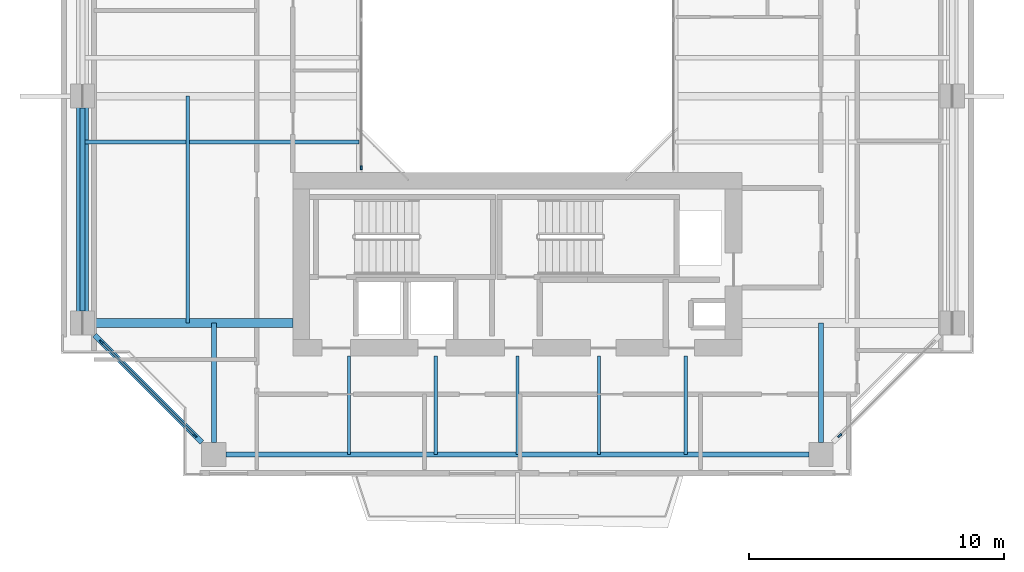
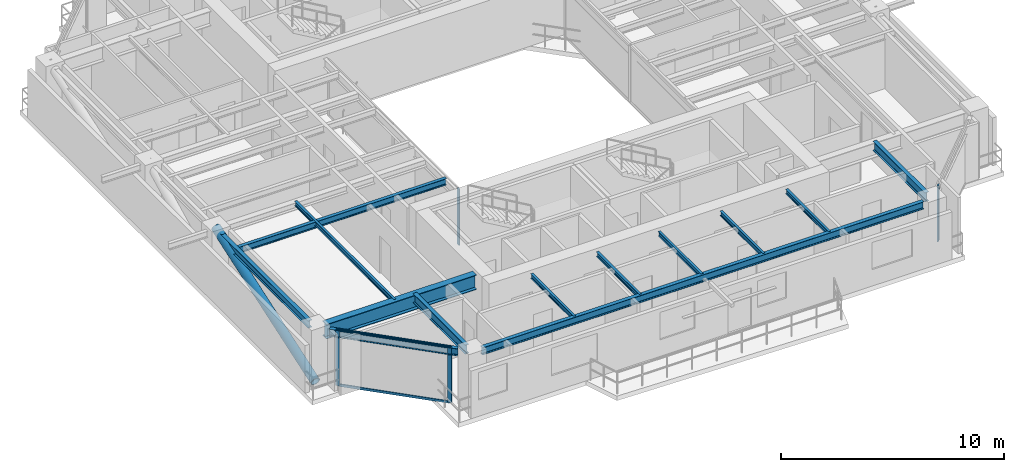
# One storey, part 2 of 14: 13 beams, 7 members, 3 elements without a shape of their own.
"""IFC4 building model written with IfcOpenShell, lengths in metres."""

from ifc_helpers import new_model, si_unit, direction, frame, origin, origin_2d, place, context, subcontext, project, spatial, rectangle, hollow_circle, i_section, extrude, source, transform, mapped, material, layer, layer_set, material_profile, profile_set, type_object, element, aggregate, save


model = new_model("IFC4")

# Units and contexts
model_context = context("Model", 3, precision=1e-05, world=origin(), true_north=direction((0.0, 1.0)))
body_context = subcontext(model_context, "Body", "Model", "MODEL_VIEW")
ifc_project = project(units=[si_unit("LENGTHUNIT", "METRE"), si_unit("AREAUNIT", "SQUARE_METRE"), si_unit("VOLUMEUNIT", "CUBIC_METRE"), si_unit("PLANEANGLEUNIT", "RADIAN"), si_unit("MASSUNIT", "GRAM", prefix="KILO"), si_unit("THERMODYNAMICTEMPERATUREUNIT", "KELVIN"), si_unit("POWERUNIT", "WATT")], contexts=[model_context])

# Site, building, storey
site_placement = place(None, origin())
site = spatial("IfcSite", under=ifc_project, at=site_placement, CompositionType="ELEMENT")
building_placement = place(site_placement, origin())
building = spatial("IfcBuilding", under=site, at=building_placement, Name="Qiaomeng Ring Towers", CompositionType="ELEMENT")
storey_placement = place(building_placement, frame((0.0, 0.0, 176.25)))
storey = spatial("IfcBuildingStorey", under=building, at=storey_placement, Name="L51", CompositionType="ELEMENT", Elevation=176.25)

# Beams
ifc_material_1 = material(Name="Steel Q355B", Category="steel")
ifc_material_profile_1 = material_profile(ifc_material_1, i_section(OverallWidth=0.125, OverallDepth=0.25, WebThickness=0.006103515625, FlangeThickness=0.009033203125, FilletRadius=0.011962890625, at=origin_2d()), Name="HN 250x125x6x9")
ifc_profile_set_1 = profile_set([ifc_material_profile_1], Name="Steel Q355B")
beam_type_1 = type_object("IfcBeamType", Name="STR-BM-HN250", PredefinedType="JOIST", material=ifc_profile_set_1)
shared_shape_1 = source(origin(), body_context, "Body", "SweptSolid", [
    extrude(i_section(OverallWidth=0.125, OverallDepth=0.25, WebThickness=0.006103515625, FlangeThickness=0.009033203125, FilletRadius=0.011962890625, at=origin_2d()), origin(), (0.0, 0.0, 1.0), 3.85009765625),
])
for number, where, z_axis, x_axis, name in (
    (1, (12.39990234375, 5.949951171875, 2.945068359375), (0.0, 1.0, 0.0), (-1.0, 0.0, 0.0), "L51 beam STR-JST-L51-T1S-1"),
    (2, (15.800048828125, 5.949951171875, 2.945068359375), (0.0, 1.0, 0.0), (-1.0, 0.0, 0.0), "L51 beam STR-JST-L51-T1S-2"),
    (3, (19.0, 5.949951171875, 2.945068359375), (0.0, 1.0, 0.0), (-1.0, 0.0, 0.0), "L51 beam STR-JST-L51-T1S-3"),
    (4, (22.199951171875, 5.949951171875, 2.945068359375), (0.0, 1.0, 0.0), (-1.0, 0.0, 0.0), "L51 beam STR-JST-L51-T1S-4"),
    (5, (25.60009765625, 5.949951171875, 2.945068359375), (0.0, 1.0, 0.0), (-1.0, 0.0, 0.0), "L51 beam STR-JST-L51-T1S-5"),
):
    element("IfcBeam", number, at=place(storey_placement, frame(where, z_axis=z_axis, x_axis=x_axis)), inside=storey, type_object=beam_type_1, Name=name, PredefinedType="JOIST", context=body_context, shape_type="MappedRepresentation", body=[
        mapped(shared_shape_1, transform((0.0, 0.0, 0.0), x_axis=(1.0, 0.0, 0.0), y_axis=(0.0, 1.0, 0.0), z_axis=(0.0, 0.0, 1.0), scale=1.0)),
    ])
ifc_material_profile_2 = material_profile(ifc_material_1, i_section(OverallWidth=0.175048828125, OverallDepth=0.35009765625, WebThickness=0.007080078125, FlangeThickness=0.010986328125, FilletRadius=0.013916015625, at=origin_2d()), Name="HN 350x175x7x11")
ifc_profile_set_2 = profile_set([ifc_material_profile_2], Name="Steel Q355B")
beam_type_2 = type_object("IfcBeamType", Name="STR-BM-HN350", PredefinedType="JOIST", material=ifc_profile_set_2)
shared_shape_2 = source(origin(), body_context, "Body", "SweptSolid", [
    extrude(i_section(OverallWidth=0.175048828125, OverallDepth=0.35009765625, WebThickness=0.007080078125, FlangeThickness=0.010986328125, FilletRadius=0.013916015625, at=origin_2d()), origin(), (0.0, 0.0, 1.0), 10.85009765625),
])
beam_1_placement = place(storey_placement, frame((1.949951171875, 18.199951171875, 2.89501953125), z_axis=(1.0, 0.0, 0.0), x_axis=(0.0, 1.0, 0.0)))
element("IfcBeam", 6, at=beam_1_placement, inside=storey, type_object=beam_type_2, Name="L51 beam STR-JST-L51-T1W-1", PredefinedType="JOIST", context=body_context, shape_type="MappedRepresentation", body=[
    mapped(shared_shape_2, transform((0.0, 0.0, 0.0), x_axis=(1.0, 0.0, 0.0), y_axis=(0.0, 1.0, 0.0), z_axis=(0.0, 0.0, 1.0), scale=1.0)),
])
shared_shape_3 = source(origin(), body_context, "Body", "SweptSolid", [
    extrude(i_section(OverallWidth=0.125, OverallDepth=0.25, WebThickness=0.006103515625, FlangeThickness=0.009033203125, FilletRadius=0.011962890625, at=origin_2d()), origin(), (0.0, 0.0, 1.0), 8.89990234375),
])
beam_2_placement = place(storey_placement, frame((6.074951171875, 11.10009765625, 2.945068359375), z_axis=(0.0, 1.0, 0.0), x_axis=(-1.0, 0.0, 0.0)))
element("IfcBeam", 7, at=beam_2_placement, inside=storey, type_object=beam_type_1, Name="L51 beam STR-JST-L51-T1C-WS", PredefinedType="JOIST", context=body_context, shape_type="MappedRepresentation", body=[
    mapped(shared_shape_3, transform((0.0, 0.0, 0.0), x_axis=(1.0, 0.0, 0.0), y_axis=(0.0, 1.0, 0.0), z_axis=(0.0, 0.0, 1.0), scale=1.0)),
])
ifc_material_profile_3 = material_profile(ifc_material_1, i_section(OverallWidth=0.199951171875, OverallDepth=0.39990234375, WebThickness=0.008056640625, FlangeThickness=0.012939453125, FilletRadius=0.01611328125, at=origin_2d()), Name="HN 400x200x8x13")
ifc_profile_set_3 = profile_set([ifc_material_profile_3], Name="Steel Q355B")
beam_type_3 = type_object("IfcBeamType", Name="STR-BM-HN400", PredefinedType="SPANDREL", material=ifc_profile_set_3)
shared_shape_4 = source(origin(), body_context, "Body", "SweptSolid", [
    extrude(i_section(OverallWidth=0.199951171875, OverallDepth=0.39990234375, WebThickness=0.008056640625, FlangeThickness=0.012939453125, FilletRadius=0.01611328125, at=origin_2d()), origin(), (0.0, 0.0, 1.0), 22.85205078125),
])
beam_3_placement = place(storey_placement, frame((7.573974609375, 5.949951171875, 2.8701171875), z_axis=(1.0, 0.0, 0.0), x_axis=(0.0, 1.0, 0.0)))
element("IfcBeam", 8, at=beam_3_placement, inside=storey, type_object=beam_type_3, Name="L51 beam STR-SP-L51-T1-S1-S2", PredefinedType="SPANDREL", context=body_context, shape_type="MappedRepresentation", body=[
    mapped(shared_shape_4, transform((0.0, 0.0, 0.0), x_axis=(1.0, 0.0, 0.0), y_axis=(0.0, 1.0, 0.0), z_axis=(0.0, 0.0, 1.0), scale=1.0)),
])
shared_shape_5 = source(origin(), body_context, "Body", "SweptSolid", [
    extrude(i_section(OverallWidth=0.199951171875, OverallDepth=0.39990234375, WebThickness=0.008056640625, FlangeThickness=0.012939453125, FilletRadius=0.01611328125, at=origin_2d()), origin(), (0.0, 0.0, 1.0), 5.941650390625),
])
beam_4_placement = place(storey_placement, frame((2.42431640625, 10.625732421875, 2.8701171875), z_axis=(0.707106781187, -0.707106781187, 0.0), x_axis=(0.707106781187, 0.707106781187, 0.0)))
element("IfcBeam", 9, at=beam_4_placement, inside=storey, type_object=beam_type_3, Name="L51 beam STR-SP-L51-T1-W1-S1", PredefinedType="SPANDREL", context=body_context, shape_type="MappedRepresentation", body=[
    mapped(shared_shape_5, transform((0.0, 0.0, 0.0), x_axis=(1.0, 0.0, 0.0), y_axis=(0.0, 1.0, 0.0), z_axis=(0.0, 0.0, 1.0), scale=1.0)),
])
shared_shape_6 = source(origin(), body_context, "Body", "SweptSolid", [
    extrude(i_section(OverallWidth=0.199951171875, OverallDepth=0.39990234375, WebThickness=0.008056640625, FlangeThickness=0.012939453125, FilletRadius=0.01611328125, at=origin_2d()), origin(), (0.0, 0.0, 1.0), 7.951904296875),
])
beam_5_placement = place(storey_placement, frame((1.949951171875, 19.52587890625, 2.8701171875), z_axis=(0.0, -1.0, 0.0), x_axis=(1.0, 0.0, 0.0)))
element("IfcBeam", 10, at=beam_5_placement, inside=storey, type_object=beam_type_3, Name="L51 beam STR-SP-L51-T1-W2-W1", PredefinedType="SPANDREL", context=body_context, shape_type="MappedRepresentation", body=[
    mapped(shared_shape_6, transform((0.0, 0.0, 0.0), x_axis=(1.0, 0.0, 0.0), y_axis=(0.0, 1.0, 0.0), z_axis=(0.0, 0.0, 1.0), scale=1.0)),
])
ifc_material_2 = material(Name="Steel Q390GJC", Category="steel")
ifc_material_profile_4 = material_profile(ifc_material_2, i_section(OverallWidth=0.35009765625, OverallDepth=0.800048828125, WebThickness=0.01611328125, FlangeThickness=0.028076171875, at=origin_2d()), Name="WH 800x350x16x28")
ifc_profile_set_4 = profile_set([ifc_material_profile_4], Name="Steel Q390GJC")
beam_type_4 = type_object("IfcBeamType", Name="STR-BM-WH800", PredefinedType="BEAM", material=ifc_profile_set_4)
shared_shape_7 = source(origin(), body_context, "Body", "SweptSolid", [
    extrude(i_section(OverallWidth=0.35009765625, OverallDepth=0.800048828125, WebThickness=0.01611328125, FlangeThickness=0.028076171875, at=origin_2d()), origin(), (0.0, 0.0, 1.0), 7.77587890625),
])
beam_6_placement = place(storey_placement, frame((2.424072265625, 11.10009765625, 2.669921875), z_axis=(1.0, 0.0, 0.0), x_axis=(0.0, 1.0, 0.0)))
element("IfcBeam", 11, at=beam_6_placement, inside=storey, type_object=beam_type_4, Name="L51 beam STR-BM-L51-T1-RAD-W1", PredefinedType="BEAM", context=body_context, shape_type="MappedRepresentation", body=[
    mapped(shared_shape_7, transform((0.0, 0.0, 0.0), x_axis=(1.0, 0.0, 0.0), y_axis=(0.0, 1.0, 0.0), z_axis=(0.0, 0.0, 1.0), scale=1.0)),
])
ifc_material_profile_5 = material_profile(ifc_material_1, i_section(OverallWidth=0.199951171875, OverallDepth=0.5, WebThickness=0.010009765625, FlangeThickness=0.01611328125, FilletRadius=0.02001953125, at=origin_2d()), Name="HN 500x200x10x16")
ifc_profile_set_5 = profile_set([ifc_material_profile_5], Name="Steel Q355B")
beam_type_5 = type_object("IfcBeamType", Name="STR-BM-HN500", PredefinedType="BEAM", material=ifc_profile_set_5)
shared_shape_8 = source(origin(), body_context, "Body", "SweptSolid", [
    extrude(i_section(OverallWidth=0.199951171875, OverallDepth=0.5, WebThickness=0.010009765625, FlangeThickness=0.01611328125, FilletRadius=0.02001953125, at=origin_2d()), origin(), (0.0, 0.0, 1.0), 4.676025390625),
])
for number, where, z_axis, x_axis, name in (
    (12, (7.10009765625, 6.424072265625, 2.820068359375), (0.0, 1.0, 0.0), (-1.0, 0.0, 0.0), "L51 beam STR-BM-L51-T1-RAD-S1"),
    (13, (30.89990234375, 6.424072265625, 2.820068359375), (0.0, 1.0, 0.0), (-1.0, 0.0, 0.0), "L51 beam STR-BM-L51-T1-RAD-S2"),
):
    element("IfcBeam", number, at=place(storey_placement, frame(where, z_axis=z_axis, x_axis=x_axis)), inside=storey, type_object=beam_type_5, Name=name, PredefinedType="BEAM", context=body_context, shape_type="MappedRepresentation", body=[
        mapped(shared_shape_8, transform((0.0, 0.0, 0.0), x_axis=(1.0, 0.0, 0.0), y_axis=(0.0, 1.0, 0.0), z_axis=(0.0, 0.0, 1.0), scale=1.0)),
    ])

# Member
ifc_material_profile_6 = material_profile(ifc_material_2, hollow_circle(Radius=0.228515625, WallThickness=0.028076171875, at=origin_2d()), Name="CHS 457x28")
ifc_profile_set_6 = profile_set([ifc_material_profile_6], Name="Steel Q390GJC")
member_type_1 = type_object("IfcMemberType", Name="STR-MB-BR-457", PredefinedType="BRACE", material=ifc_profile_set_6)
shared_shape_9 = source(origin(), body_context, "Body", "SweptSolid", [
    extrude(hollow_circle(Radius=0.228515625, WallThickness=0.028076171875, at=origin_2d()), origin(), (0.0, 0.0, 1.0), 9.401611328125),
])
member_1_placement = place(storey_placement, frame((1.949951171875, 11.10009765625, 0.02001953125), z_axis=(0.0, 0.94664097224, 0.322290039679), x_axis=(-1.0, 0.0, 0.0)))
element("IfcMember", 14, at=member_1_placement, inside=storey, type_object=member_type_1, Name="L51 Portal Bridge Truss Diagonal W-0A", PredefinedType="BRACE", context=body_context, shape_type="MappedRepresentation", body=[
    mapped(shared_shape_9, transform((0.0, 0.0, 0.0), x_axis=(1.0, 0.0, 0.0), y_axis=(0.0, 1.0, 0.0), z_axis=(0.0, 0.0, 1.0), scale=1.0)),
])

# Curtain wall, member
ifc_material_3 = material(Name="Fluorocarbon dark-grey aluminium", Category="aluminium")
ifc_layer_1 = layer(ifc_material_3, 0.139892578125, Name="Fluorocarbon dark-grey aluminium")
ifc_layer_set_1 = layer_set([ifc_layer_1], Name="Fluorocarbon dark-grey aluminium")
curtain_wall_type_1 = type_object("IfcCurtainWallType", Name="ARC-CW-4", PredefinedType="NOTDEFINED", material=ifc_layer_set_1)
curtain_wall_1_placement = place(storey_placement, origin())
curtain_wall_1 = element("IfcCurtainWall", 15, at=curtain_wall_1_placement, inside=storey, type_object=curtain_wall_type_1, Name="L51 Curtain Wall CW4", PredefinedType="NOTDEFINED")
ifc_material_profile_7 = material_profile(ifc_material_3, rectangle(XDim=0.06494140625, YDim=0.159912109375, at=origin_2d()), Name="ALU MULL 65x160")
ifc_profile_set_7 = profile_set([ifc_material_profile_7], Name="Fluorocarbon dark-grey aluminium")
member_type_2 = type_object("IfcMemberType", Name="ARC-CWM-140", PredefinedType="MULLION", material=ifc_profile_set_7)
shared_shape_10 = source(origin(), body_context, "Body", "SweptSolid", [
    extrude(rectangle(XDim=0.06494140625, YDim=0.159912109375, at=origin_2d()), origin(), (0.0, 0.0, 1.0), 3.070068359375),
])
member_2_placement = place(storey_placement, frame((12.8798828125, 17.1826171875, 0.0), z_axis=(0.0, 0.0, 1.0), x_axis=(-1.0, 0.0, 0.0)))
member_2 = element("IfcMember", 16, at=member_2_placement, type_object=member_type_2, Name="CW4 mullion 1", PredefinedType="MULLION", context=body_context, shape_type="MappedRepresentation", body=[
    mapped(shared_shape_10, transform((0.0, 0.0, 0.0), x_axis=(1.0, 0.0, 0.0), y_axis=(0.0, 1.0, 0.0), z_axis=(0.0, 0.0, 1.0), scale=1.0)),
])
aggregate(curtain_wall_1, [member_2])

ifc_layer_2 = layer(ifc_material_3, 0.14990234375, Name="Fluorocarbon dark-grey aluminium")
ifc_layer_set_2 = layer_set([ifc_layer_2], Name="Fluorocarbon dark-grey aluminium")
curtain_wall_type_2 = type_object("IfcCurtainWallType", Name="ARC-CW-3", PredefinedType="NOTDEFINED", material=ifc_layer_set_2)
curtain_wall_2_placement = place(storey_placement, origin())
curtain_wall_2 = element("IfcCurtainWall", 17, at=curtain_wall_2_placement, inside=storey, type_object=curtain_wall_type_2, Name="L51 Curtain Wall CW3", PredefinedType="NOTDEFINED")
ifc_material_profile_8 = material_profile(ifc_material_3, rectangle(XDim=0.070068359375, YDim=0.179931640625, at=origin_2d()), Name="ALU MULL 70x180")
ifc_profile_set_8 = profile_set([ifc_material_profile_8], Name="Fluorocarbon dark-grey aluminium")
member_type_3 = type_object("IfcMemberType", Name="ARC-CWM-160", PredefinedType="MULLION", material=ifc_profile_set_8)
shared_shape_11 = source(origin(), body_context, "Body", "SweptSolid", [
    extrude(rectangle(XDim=0.070068359375, YDim=0.179931640625, at=origin_2d()), origin(), (0.0, 0.0, 1.0), 3.070068359375),
])
member_3_placement = place(storey_placement, frame((31.6396484375, 6.689697265625, 0.0), z_axis=(0.0, 0.0, 1.0), x_axis=(-0.707106781187, 0.707106781187, 0.0)))
member_3 = element("IfcMember", 18, at=member_3_placement, type_object=member_type_3, Name="CW3 mullion 1", PredefinedType="MULLION", context=body_context, shape_type="MappedRepresentation", body=[
    mapped(shared_shape_11, transform((0.0, 0.0, 0.0), x_axis=(1.0, 0.0, 0.0), y_axis=(0.0, 1.0, 0.0), z_axis=(0.0, 0.0, 1.0), scale=1.0)),
])
aggregate(curtain_wall_2, [member_3])

# Curtain wall, members
curtain_wall_3_placement = place(storey_placement, origin())
curtain_wall_3 = element("IfcCurtainWall", 19, at=curtain_wall_3_placement, inside=storey, type_object=curtain_wall_type_2, Name="L51 Curtain Wall CW3", PredefinedType="NOTDEFINED")
member_4_placement = place(storey_placement, frame((2.689697265625, 10.3603515625, 0.0), z_axis=(0.0, 0.0, 1.0), x_axis=(0.707106781187, 0.707106781187, 0.0)))
member_4 = element("IfcMember", 20, at=member_4_placement, type_object=member_type_3, Name="CW3 mullion 1", PredefinedType="MULLION", context=body_context, shape_type="MappedRepresentation", body=[
    mapped(shared_shape_11, transform((0.0, 0.0, 0.0), x_axis=(1.0, 0.0, 0.0), y_axis=(0.0, 1.0, 0.0), z_axis=(0.0, 0.0, 1.0), scale=1.0)),
])
member_5_placement = place(storey_placement, frame((6.3603515625, 6.689697265625, 0.0), z_axis=(0.0, 0.0, 1.0), x_axis=(0.707106781187, 0.707106781187, 0.0)))
member_5 = element("IfcMember", 21, at=member_5_placement, type_object=member_type_3, Name="CW3 mullion 2", PredefinedType="MULLION", context=body_context, shape_type="MappedRepresentation", body=[
    mapped(shared_shape_11, transform((0.0, 0.0, 0.0), x_axis=(1.0, 0.0, 0.0), y_axis=(0.0, 1.0, 0.0), z_axis=(0.0, 0.0, 1.0), scale=1.0)),
])
ifc_material_profile_9 = material_profile(ifc_material_3, rectangle(XDim=0.06494140625, YDim=0.1298828125, at=origin_2d()), Name="ALU TRAN 65x130")
ifc_profile_set_9 = profile_set([ifc_material_profile_9], Name="Fluorocarbon dark-grey aluminium")
member_type_4 = type_object("IfcMemberType", Name="ARC-CWT-120", PredefinedType="USERDEFINED", material=ifc_profile_set_9)
shared_shape_12 = source(origin(), body_context, "Body", "SweptSolid", [
    extrude(rectangle(XDim=0.06494140625, YDim=0.1298828125, at=origin_2d()), origin(), (0.0, 0.0, 1.0), 5.12060546875),
])
member_6_placement = place(storey_placement, frame((2.714599609375, 10.33544921875, 0.032470703125), z_axis=(0.707106781187, -0.707106781187, 0.0), x_axis=(0.707106781187, 0.707106781187, 0.0)))
member_6 = element("IfcMember", 22, at=member_6_placement, type_object=member_type_4, Name="CW3 transom 1.1", ObjectType="TRANSOM", PredefinedType="USERDEFINED", context=body_context, shape_type="MappedRepresentation", body=[
    mapped(shared_shape_12, transform((0.0, 0.0, 0.0), x_axis=(1.0, 0.0, 0.0), y_axis=(0.0, 1.0, 0.0), z_axis=(0.0, 0.0, 1.0), scale=1.0)),
])
member_7_placement = place(storey_placement, frame((2.714599609375, 10.33544921875, 3.03759765625), z_axis=(0.707106781187, -0.707106781187, 0.0), x_axis=(0.707106781187, 0.707106781187, 0.0)))
member_7 = element("IfcMember", 23, at=member_7_placement, type_object=member_type_4, Name="CW3 transom 1.2", ObjectType="TRANSOM", PredefinedType="USERDEFINED", context=body_context, shape_type="MappedRepresentation", body=[
    mapped(shared_shape_12, transform((0.0, 0.0, 0.0), x_axis=(1.0, 0.0, 0.0), y_axis=(0.0, 1.0, 0.0), z_axis=(0.0, 0.0, 1.0), scale=1.0)),
])
aggregate(curtain_wall_3, [member_4, member_5, member_6, member_7])

save(model, "model.ifc")
